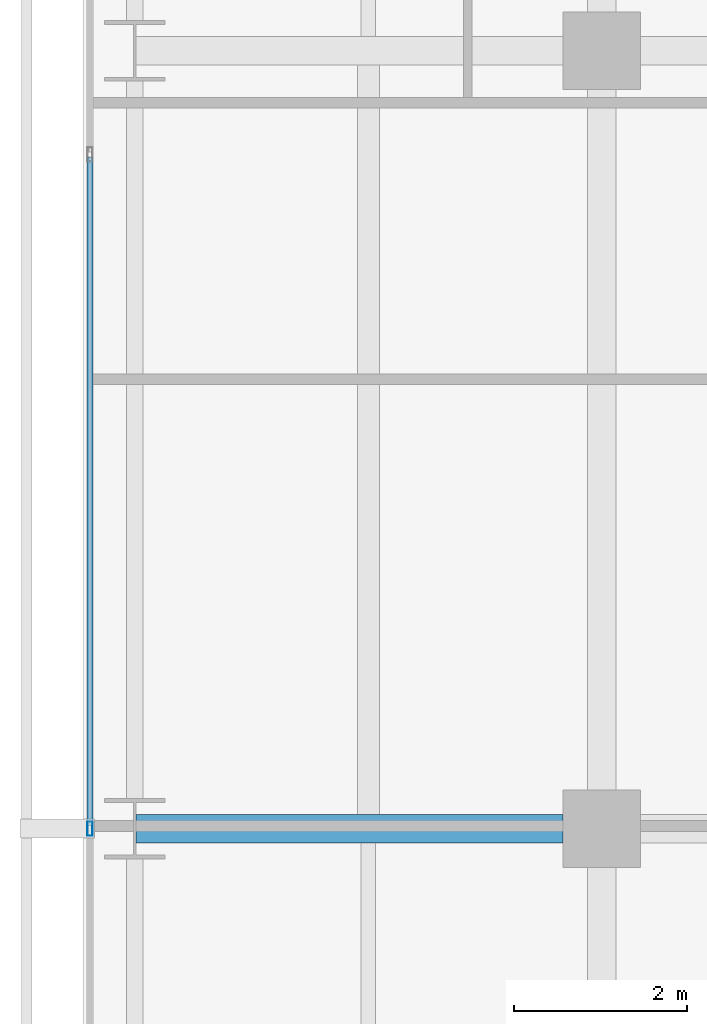
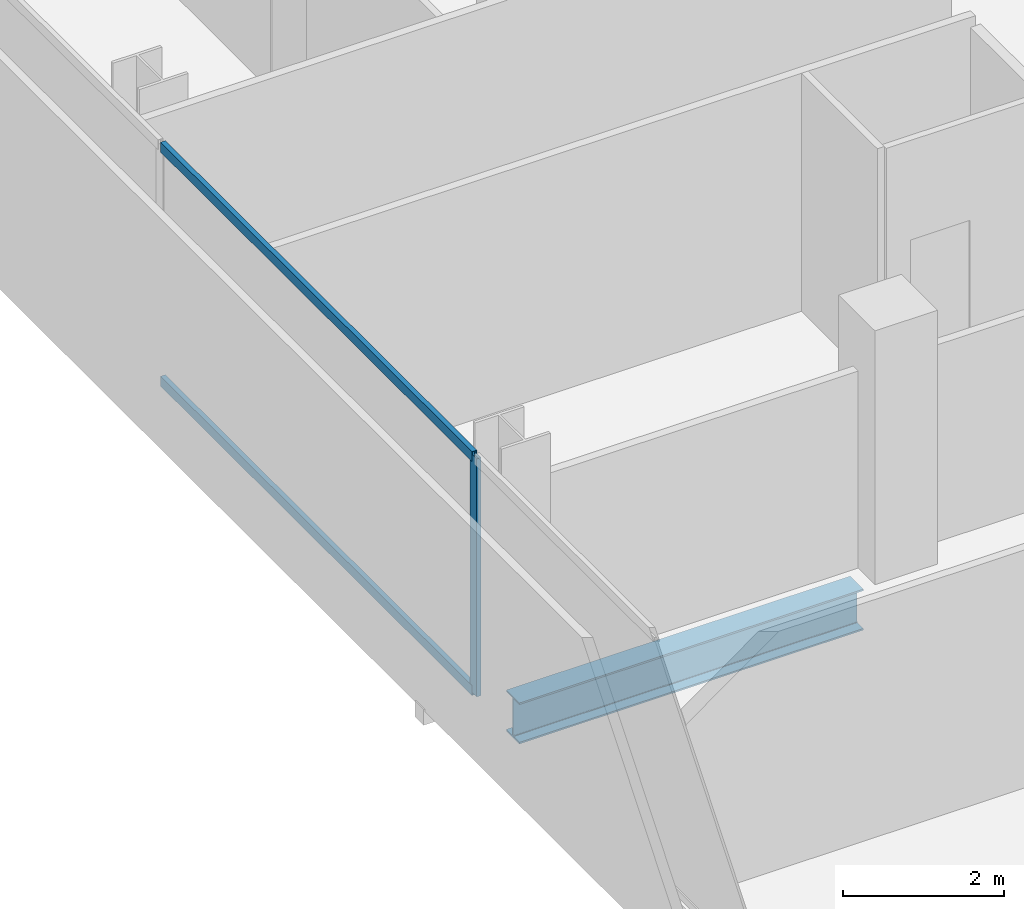
# One storey, part 12 of 39: 3 members, 1 beam, 1 element without a shape of its own.
"""IFC4 building model written with IfcOpenShell, lengths in metres."""

import ifcopenshell
import ifcopenshell.guid

model = None  # the IFC model being written
_history = None  # IfcOwnerHistory: only IFC2X3 demands one
_inside = {}  # id of a spatial element -> (the spatial element, [elements in it])
_under = {}  # id of a project, library or spatial element -> (it, [spatial elements below it])
_declared = {}  # id of a project -> (the project, [libraries it declares])
_typed = {}  # id of a type object -> (the type object, [elements of that type])
_made_of = {}  # id of a material, layer set ... -> (it, [elements and type objects made of it])


def new_model(schema):
    """Start an empty IFC model of exactly this schema.

    Asked for "IFC4X3", IfcOpenShell would pick the latest addendum, in which some entities
    have other attributes; the version numbers below select the first issue.
    IFC2X3 requires an IfcOwnerHistory on every rooted entity: one is made here for all.
    """
    global model, _history
    if schema == "IFC4X3":
        model = ifcopenshell.file(schema_version=(4, 3, 0, 0))
    else:
        model = ifcopenshell.file(schema=schema)
    _inside.clear()
    _under.clear()
    _declared.clear()
    _typed.clear()
    _made_of.clear()
    _history = None
    if model.schema == "IFC2X3":
        org = make("IfcOrganization", Name="unknown")
        user = make(
            "IfcPersonAndOrganization",
            ThePerson=make("IfcPerson", FamilyName="unknown"),
            TheOrganization=org,
        )
        app = make(
            "IfcApplication",
            ApplicationDeveloper=org,
            Version="unknown",
            ApplicationFullName="unknown",
            ApplicationIdentifier="unknown",
        )
        _history = make(
            "IfcOwnerHistory",
            OwningUser=user,
            OwningApplication=app,
            ChangeAction="ADDED",
            CreationDate=0,
        )
    return model


def make(cls, **values):
    """One entity of the class cls with the attributes given. An attribute that is None is left unset."""
    return model.create_entity(
        cls, **{name: value for name, value in values.items() if value is not None}
    )


def rooted(cls, **values):
    """An entity with a GlobalId (a new one), such as an element, a storey or a relation."""
    return make(cls, GlobalId=ifcopenshell.guid.new(), OwnerHistory=_history, **values)


def si_unit(unit_type, name, prefix=None):
    """IfcSIUnit, for example si_unit("LENGTHUNIT", "METRE", prefix="MILLI")."""
    return make("IfcSIUnit", UnitType=unit_type, Prefix=prefix, Name=name)


def assignment(units):
    """IfcUnitAssignment: the units of a project."""
    return None if units is None else make("IfcUnitAssignment", Units=units)


def point(xyz):
    """IfcCartesianPoint."""
    return None if xyz is None else make("IfcCartesianPoint", Coordinates=xyz)


def direction(xyz):
    """IfcDirection."""
    return None if xyz is None else make("IfcDirection", DirectionRatios=xyz)


def frame(location, z_axis=None, x_axis=None):
    """IfcAxis2Placement3D, a coordinate frame: its origin and axes. An axis left out is left unset."""
    return make(
        "IfcAxis2Placement3D",
        Location=point(location),
        Axis=direction(z_axis),
        RefDirection=direction(x_axis),
    )


def frame_2d(location, x_axis=None):
    """IfcAxis2Placement2D, a coordinate frame in the plane: its origin and x axis."""
    return make(
        "IfcAxis2Placement2D", Location=point(location), RefDirection=direction(x_axis)
    )


def origin():
    """The frame at (0, 0, 0) with its axes left unset."""
    return frame((0.0, 0.0, 0.0))


def origin_2d():
    """The frame at (0, 0) in the plane with its x axis left unset."""
    return frame_2d((0.0, 0.0))


def place(relative_to, where):
    """IfcLocalPlacement: puts the frame where relative to a parent placement (None: the world)."""
    return make(
        "IfcLocalPlacement", PlacementRelTo=relative_to, RelativePlacement=where
    )


def context(
    kind, dimensions, precision=None, world=None, true_north=None, identifier=None
):
    """IfcGeometricRepresentationContext, for example the 3D "Model" context."""
    return make(
        "IfcGeometricRepresentationContext",
        ContextIdentifier=identifier,
        ContextType=kind,
        CoordinateSpaceDimension=dimensions,
        Precision=precision,
        WorldCoordinateSystem=world,
        TrueNorth=true_north,
    )


def subcontext(parent, identifier, kind, view, scale=None):
    """IfcGeometricRepresentationSubContext, for example "Body" below "Model"."""
    return make(
        "IfcGeometricRepresentationSubContext",
        ContextIdentifier=identifier,
        ContextType=kind,
        ParentContext=parent,
        TargetScale=scale,
        TargetView=view,
    )


def project(units=None, contexts=None):
    """IfcProject with its units and contexts."""
    return rooted(
        "IfcProject",
        Name="project",
        RepresentationContexts=contexts,
        UnitsInContext=assignment(units),
    )


def spatial(cls, under=None, at=None, **own):
    """A site, building, storey or space (cls), placed at a placement, below another one or the project."""
    s = rooted(cls, ObjectPlacement=at, **own)
    if under is not None:
        _under.setdefault(under.id(), (under, []))[1].append(s)
    return s


def profile(cls, at=None, kind="AREA", **sizes):
    """A parametric profile (cls). Its sizes go by their IFC names, for example OverallWidth=200.0."""
    return make(cls, ProfileType=kind, Position=at, **sizes)


def hollow_rectangle(**sizes):
    """IfcRectangleHollowProfileDef."""
    return profile("IfcRectangleHollowProfileDef", **sizes)


def i_section(**sizes):
    """IfcIShapeProfileDef."""
    return profile("IfcIShapeProfileDef", **sizes)


def extrude(swept, where, along, depth):
    """IfcExtrudedAreaSolid: the profile swept, set in the frame where, extruded along a direction by depth."""
    return make(
        "IfcExtrudedAreaSolid",
        SweptArea=swept,
        Position=where,
        ExtrudedDirection=direction(along),
        Depth=depth,
    )


def shape(context_of_items, identifier, shape_type, items):
    """IfcShapeRepresentation: the items that make up one representation, for example the "Body"."""
    return make(
        "IfcShapeRepresentation",
        ContextOfItems=context_of_items,
        RepresentationIdentifier=identifier,
        RepresentationType=shape_type,
        Items=items,
    )


def material(Name=None, Category=None):
    """IfcMaterial."""
    return make("IfcMaterial", Name=Name, Category=Category)


def layer(
    of_material, thickness, ventilated=None, Name=None, Category=None, Priority=None
):
    """IfcMaterialLayer: one layer of a wall or slab, of a material (None: an air gap)."""
    return make(
        "IfcMaterialLayer",
        Material=of_material,
        LayerThickness=thickness,
        IsVentilated=ventilated,
        Name=Name,
        Category=Category,
        Priority=Priority,
    )


def layer_set(layers, Name=None):
    """IfcMaterialLayerSet."""
    return make("IfcMaterialLayerSet", MaterialLayers=layers, LayerSetName=Name)


def material_profile(
    of_material, cross_section, Name=None, Category=None, Priority=None
):
    """IfcMaterialProfile: a cross section and its material."""
    return make(
        "IfcMaterialProfile",
        Name=Name,
        Material=of_material,
        Profile=cross_section,
        Priority=Priority,
        Category=Category,
    )


def profile_set(profiles, Name=None, composite=None):
    """IfcMaterialProfileSet."""
    return make(
        "IfcMaterialProfileSet",
        Name=Name,
        MaterialProfiles=profiles,
        CompositeProfile=composite,
    )


def made_of(thing, what):
    """Note that an element or type object is made of a material, layer set ...; save() writes the relation."""
    if what is not None:
        _made_of.setdefault(what.id(), (what, []))[1].append(thing)
    return thing


def type_object(cls, material=None, **own):
    """A type object (cls), such as IfcWallType, which elements share."""
    return made_of(rooted(cls, **own), material)


def element(
    cls,
    number,
    at=None,
    inside=None,
    cuts=None,
    type_object=None,
    material=None,
    context=None,
    identifier="Body",
    shape_type=None,
    held_by="IfcProductDefinitionShape",
    body=None,
    shapes=None,
    **own,
):
    """One element of the class cls, such as IfcWall. Its Tag is "e" and its number.

    at: its placement. inside: the storey or other place that contains it. cuts: it is an
    opening in that element (IfcRelVoidsElement). A single representation is given by context,
    identifier, shape_type and body (its items); several are given by shapes. held_by: the class
    of the entity that holds the representations. save() writes the other relations.
    """
    e = rooted(cls, Tag="e%d" % number, ObjectPlacement=at, **own)
    if body is not None:
        shapes = [shape(context, identifier, shape_type, body)]
    if shapes is not None:
        e.Representation = make(held_by, Representations=shapes)
    if inside is not None:
        _inside.setdefault(inside.id(), (inside, []))[1].append(e)
    if cuts is not None:
        rooted(
            "IfcRelVoidsElement", RelatingBuildingElement=cuts, RelatedOpeningElement=e
        )
    if type_object is not None:
        _typed.setdefault(type_object.id(), (type_object, []))[1].append(e)
    return made_of(e, material)


def aggregate(whole, parts):
    """IfcRelAggregates: a whole, such as a stair, and the parts it consists of."""
    return rooted("IfcRelAggregates", RelatingObject=whole, RelatedObjects=parts)


def save(model, path):
    """Write the relations noted so far, then the file.

    IfcRelAggregates (storeys below a building ...), IfcRelContainedInSpatialStructure (elements
    in a storey), IfcRelDefinesByType, IfcRelAssociatesMaterial and IfcRelDeclares: one each for
    every whole, place, type object, material and project.
    """
    for whole, parts in _under.values():
        aggregate(whole, parts)
    for where, things in _inside.values():
        rooted(
            "IfcRelContainedInSpatialStructure",
            RelatedElements=things,
            RelatingStructure=where,
        )
    for kind, things in _typed.values():
        rooted("IfcRelDefinesByType", RelatedObjects=things, RelatingType=kind)
    for what, things in _made_of.values():
        rooted("IfcRelAssociatesMaterial", RelatedObjects=things, RelatingMaterial=what)
    for by, libraries in _declared.values():
        rooted("IfcRelDeclares", RelatingContext=by, RelatedDefinitions=libraries)
    model.write(path)


model = new_model("IFC4")

# Units and contexts
model_context = context("Model", 3, precision=1e-05, world=origin(), true_north=direction((0.0, 1.0)))
body_context = subcontext(model_context, "Body", "Model", "MODEL_VIEW")
ifc_project = project(units=[si_unit("LENGTHUNIT", "METRE"), si_unit("AREAUNIT", "SQUARE_METRE"), si_unit("VOLUMEUNIT", "CUBIC_METRE"), si_unit("PLANEANGLEUNIT", "RADIAN"), si_unit("MASSUNIT", "GRAM", prefix="KILO")], contexts=[model_context])

# Site, building, storey
site_placement = place(None, origin())
site = spatial("IfcSite", under=ifc_project, at=site_placement, CompositionType="ELEMENT")
building_placement = place(site_placement, origin())
building = spatial("IfcBuilding", under=site, at=building_placement, Name="Maruvema Waterfront Hotel and Observation Tower", CompositionType="ELEMENT")
storey_placement = place(building_placement, frame((0.0, 0.0, 46.199951171875)))
storey = spatial("IfcBuildingStorey", under=building, at=storey_placement, Name="L10", CompositionType="ELEMENT", Elevation=46.199951171875)

# Curtain wall, members
ifc_material_1 = material(Name="Anodised bronze aluminium and solar-control low-E IGU", Category="aluminium")
ifc_layer = layer(ifc_material_1, 0.159912109375, Name="Zone 1 Bronze Inner Thermal Curtain Wall System CW-02")
ifc_layer_set = layer_set([ifc_layer], Name="Anodised bronze aluminium and solar-control low-E IGU")
curtain_wall_type = type_object("IfcCurtainWallType", Name="Zone 1 Bronze Inner Thermal Curtain Wall System CW-02", PredefinedType="USERDEFINED", material=ifc_layer_set)
curtain_wall_placement = place(storey_placement, origin())
curtain_wall = element("IfcCurtainWall", 1, at=curtain_wall_placement, inside=storey, type_object=curtain_wall_type, Name="L10 Curtain Wall CW-L10-W", ObjectType="UNITISED CURTAIN WALL", PredefinedType="USERDEFINED")
ifc_material_2 = material(Name="Anodised architectural bronze aluminium", Category="aluminium")
ifc_material_profile_1 = material_profile(ifc_material_2, hollow_rectangle(XDim=0.070068359375, YDim=0.14990234375, WallThickness=0.00390625, at=origin_2d()), Name="ALU-T70x150")
ifc_profile_set_1 = profile_set([ifc_material_profile_1], Name="Anodised architectural bronze aluminium")
member_type_1 = type_object("IfcMemberType", Name="Curtain Wall Horizontal Transom ALU-T70x150", PredefinedType="USERDEFINED", material=ifc_profile_set_1)
member_1_placement = place(storey_placement, frame((10.8798828125, 34.77001953125, 0.030029296875), z_axis=(0.0, -1.0, 0.0), x_axis=(1.0, 0.0, 0.0)))
member_1 = element("IfcMember", 2, at=member_1_placement, type_object=member_type_1, Name="CW-02 transom 3.1", ObjectType="TRANSOM", PredefinedType="USERDEFINED", context=body_context, shape_type="SweptSolid", body=[
    extrude(hollow_rectangle(XDim=0.070068359375, YDim=0.14990234375, WallThickness=0.00390625, at=origin_2d()), origin(), (0.0, 0.0, 1.0), 7.739990234375),
])
member_2_placement = place(storey_placement, frame((10.8798828125, 34.77001953125, 3.580078125), z_axis=(0.0, -1.0, 0.0), x_axis=(1.0, 0.0, 0.0)))
member_2 = element("IfcMember", 3, at=member_2_placement, type_object=member_type_1, Name="CW-02 transom 3.2", ObjectType="TRANSOM", PredefinedType="USERDEFINED", context=body_context, shape_type="SweptSolid", body=[
    extrude(hollow_rectangle(XDim=0.070068359375, YDim=0.14990234375, WallThickness=0.00390625, at=origin_2d()), origin(), (0.0, 0.0, 1.0), 7.739990234375),
])
ifc_material_3 = material(Name="Anodised architectural bronze aluminium", Category="aluminium")
ifc_material_profile_2 = material_profile(ifc_material_3, hollow_rectangle(XDim=0.06494140625, YDim=0.1650390625, WallThickness=0.00390625, at=origin_2d()), Name="ALU-M65x165")
ifc_profile_set_2 = profile_set([ifc_material_profile_2], Name="Anodised architectural bronze aluminium")
member_type_2 = type_object("IfcMemberType", Name="Curtain Wall Primary Mullion ALU-M65x165", PredefinedType="MULLION", material=ifc_profile_set_2)
member_3_placement = place(storey_placement, frame((10.8798828125, 27.0, 0.0), z_axis=(0.0, 0.0, 1.0), x_axis=(1.0, 0.0, 0.0)))
member_3 = element("IfcMember", 4, at=member_3_placement, type_object=member_type_2, Name="CW-02 mullion 4", PredefinedType="MULLION", context=body_context, shape_type="SweptSolid", body=[
    extrude(hollow_rectangle(XDim=0.06494140625, YDim=0.1650390625, WallThickness=0.00390625, at=origin_2d()), origin(), (0.0, 0.0, 1.0), 3.610107421875),
])
aggregate(curtain_wall, [member_3, member_1, member_2])

# Beam
ifc_material_4 = material(Name="Steel ASTM A572 Grade 50", Category="steel")
ifc_material_profile_3 = material_profile(ifc_material_4, i_section(OverallWidth=0.326904296875, OverallDepth=0.6220703125, WebThickness=0.015380859375, FlangeThickness=0.0244140625, FilletRadius=0.01806640625, at=origin_2d()), Name="W610x195.0")
ifc_profile_set_3 = profile_set([ifc_material_profile_3], Name="Steel ASTM A572 Grade 50")
beam_type = type_object("IfcBeamType", Name="Primary Floor Girder W610x195.0", PredefinedType="BEAM", material=ifc_profile_set_3)
beam_placement = place(storey_placement, frame((11.4140625, 27.0, -0.551025390625), z_axis=(1.0, 0.0, 0.0), x_axis=(0.0, 1.0, 0.0)))
element("IfcBeam", 5, at=beam_placement, inside=storey, type_object=beam_type, Name="L10 Floor Girder EW-20", PredefinedType="BEAM", context=body_context, shape_type="SweptSolid", body=[
    extrude(i_section(OverallWidth=0.326904296875, OverallDepth=0.6220703125, WebThickness=0.015380859375, FlangeThickness=0.0244140625, FilletRadius=0.01806640625, at=origin_2d()), origin(), (0.0, 0.0, 1.0), 4.93603515625),
])

save(model, "model.ifc")
